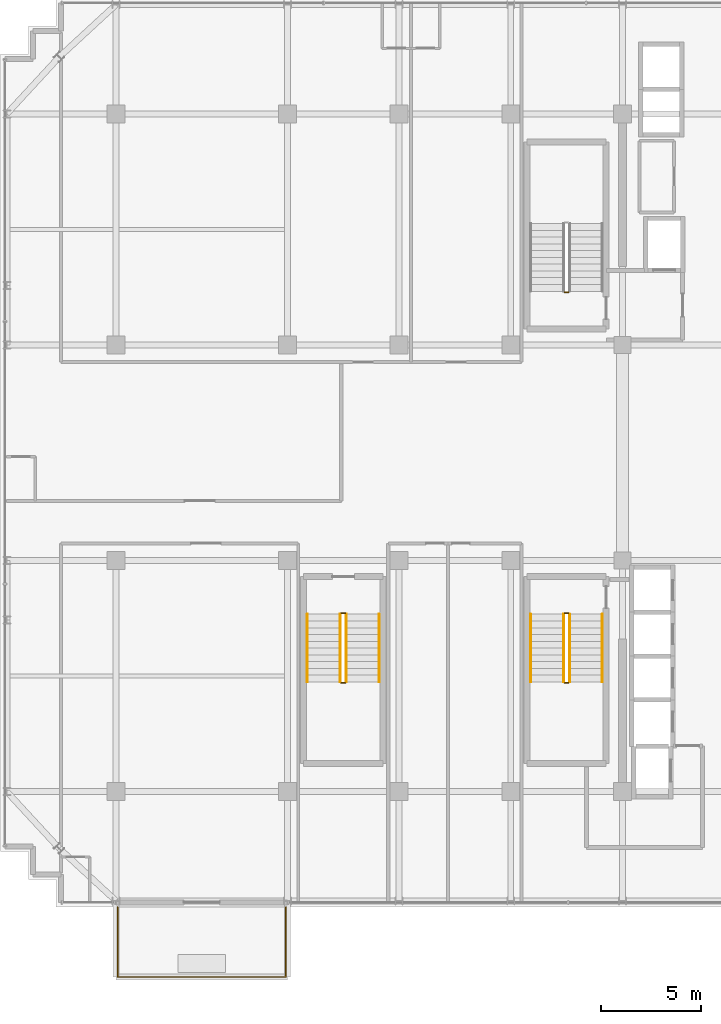
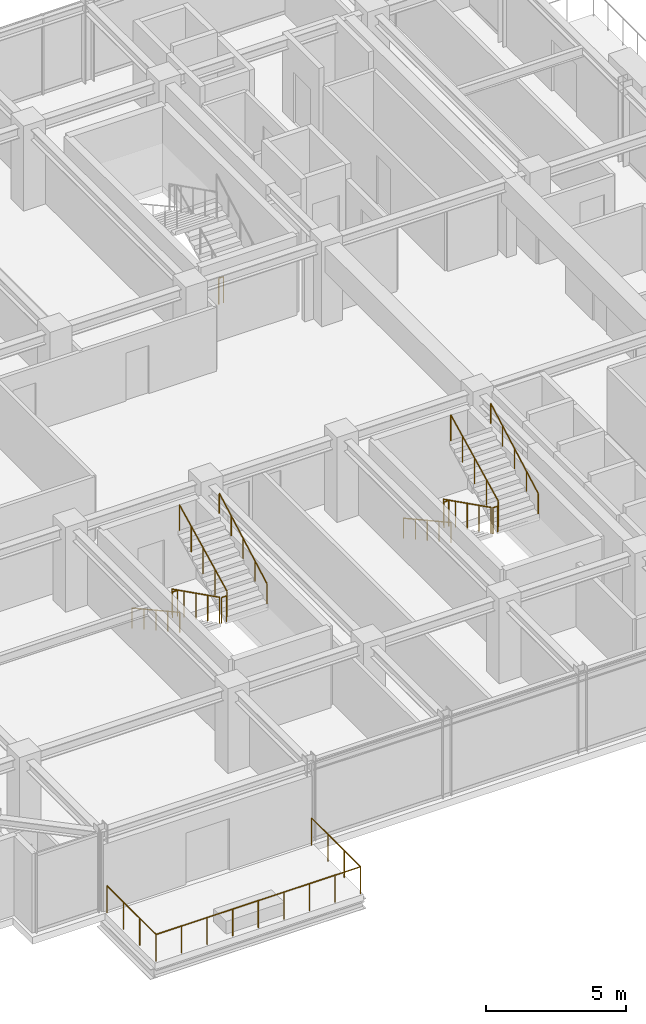
# One storey, part 30 of 32: 14 railings.
"""IFC4 building model written with IfcOpenShell, lengths in metres."""

from ifc_helpers import new_model, si_unit, direction, frame, origin, origin_2d, place, context, subcontext, project, spatial, circle, extrude, material, type_object, element, save


model = new_model("IFC4")

# Units and contexts
model_context = context("Model", 3, precision=1e-05, world=origin(), true_north=direction((0.0, 1.0)))
body_context = subcontext(model_context, "Body", "Model", "MODEL_VIEW")
ifc_project = project(units=[si_unit("LENGTHUNIT", "METRE"), si_unit("AREAUNIT", "SQUARE_METRE"), si_unit("VOLUMEUNIT", "CUBIC_METRE"), si_unit("PLANEANGLEUNIT", "RADIAN"), si_unit("MASSUNIT", "GRAM", prefix="KILO")], contexts=[model_context])

# Site, building, storey
site_placement = place(None, origin())
site = spatial("IfcSite", under=ifc_project, at=site_placement, CompositionType="ELEMENT")
building_placement = place(site_placement, origin())
building = spatial("IfcBuilding", under=site, at=building_placement, Name="Nahalor Promenade Grand Hotel", CompositionType="ELEMENT")
storey_placement = place(building_placement, frame((0.0, 0.0, 285.050048828125)))
storey = spatial("IfcBuildingStorey", under=building, at=storey_placement, Name="L73", CompositionType="ELEMENT", Elevation=285.050048828125)

# Railings
ifc_material_1 = material(Name="Anodised Bronze Aluminium EN AW-6063 T6", Category="aluminium")
railing_type_1 = type_object("IfcRailingType", Name="Bronze Balcony Guardrail 1200 mm", PredefinedType="GUARDRAIL", material=ifc_material_1)
railing_1_placement = place(storey_placement, frame((-16.919921875, -22.800048828125, 0.0)))
element("IfcRailing", 1, at=railing_1_placement, inside=storey, type_object=railing_type_1, Name="L73 Balcony Guardrail 1", PredefinedType="GUARDRAIL", context=body_context, shape_type="SweptSolid", body=[
    extrude(circle(Radius=0.024048, at=origin_2d()), frame((0.0, 0.0, 1.17578125), z_axis=(0.0, -1.0, 0.0), x_axis=(1.0, 0.0, 0.0)), (0.0, 0.0, 1.0), 3.498046875),
    extrude(circle(Radius=0.024048, at=origin_2d()), frame((0.001953125, -3.5, 1.17578125), z_axis=(1.0, 0.0, 0.0), x_axis=(0.0, 1.0, 0.0)), (0.0, 0.0, 1.0), 8.43603515625),
    extrude(circle(Radius=0.024048, at=origin_2d()), frame((8.43994140625, -3.498046875, 1.17578125), z_axis=(0.0, 1.0, 0.0), x_axis=(-1.0, 0.0, 0.0)), (0.0, 0.0, 1.0), 3.498046875),
    extrude(circle(Radius=0.020996, at=origin_2d()), origin(), (0.0, 0.0, 1.0), 1.14990234375),
    extrude(circle(Radius=0.020996, at=origin_2d()), frame((0.0, -1.166748046875, 0.0)), (0.0, 0.0, 1.0), 1.14990234375),
    extrude(circle(Radius=0.020996, at=origin_2d()), frame((0.0, -2.333251953125, 0.0)), (0.0, 0.0, 1.0), 1.14990234375),
    extrude(circle(Radius=0.020996, at=origin_2d()), frame((0.0, -3.5, 0.0)), (0.0, 0.0, 1.0), 1.14990234375),
    extrude(circle(Radius=0.020996, at=origin_2d()), frame((1.054931640625, -3.5, 0.0)), (0.0, 0.0, 1.0), 1.14990234375),
    extrude(circle(Radius=0.020996, at=origin_2d()), frame((2.10986328125, -3.5, 0.0)), (0.0, 0.0, 1.0), 1.14990234375),
    extrude(circle(Radius=0.020996, at=origin_2d()), frame((3.1650390625, -3.5, 0.0)), (0.0, 0.0, 1.0), 1.14990234375),
    extrude(circle(Radius=0.020996, at=origin_2d()), frame((4.219970703125, -3.5, 0.0)), (0.0, 0.0, 1.0), 1.14990234375),
    extrude(circle(Radius=0.020996, at=origin_2d()), frame((5.27490234375, -3.5, 0.0)), (0.0, 0.0, 1.0), 1.14990234375),
    extrude(circle(Radius=0.020996, at=origin_2d()), frame((6.330078125, -3.5, 0.0)), (0.0, 0.0, 1.0), 1.14990234375),
    extrude(circle(Radius=0.020996, at=origin_2d()), frame((7.385009765625, -3.5, 0.0)), (0.0, 0.0, 1.0), 1.14990234375),
    extrude(circle(Radius=0.020996, at=origin_2d()), frame((8.43994140625, -3.5, 0.0)), (0.0, 0.0, 1.0), 1.14990234375),
    extrude(circle(Radius=0.020996, at=origin_2d()), frame((8.43994140625, -2.333251953125, 0.0)), (0.0, 0.0, 1.0), 1.14990234375),
    extrude(circle(Radius=0.020996, at=origin_2d()), frame((8.43994140625, -1.166748046875, 0.0)), (0.0, 0.0, 1.0), 1.14990234375),
    extrude(circle(Radius=0.020996, at=origin_2d()), frame((8.43994140625, 0.0, 0.0)), (0.0, 0.0, 1.0), 1.14990234375),
])
ifc_material_2 = material(Name="Steel S355JR", Category="steel")
railing_type_2 = type_object("IfcRailingType", Name="Steel Stair Guardrail 1150 mm", PredefinedType="GUARDRAIL", material=ifc_material_2)
railing_2_placement = place(storey_placement, frame((5.699951171875, 8.050048828125, 0.0)))
element("IfcRailing", 2, at=railing_2_placement, inside=storey, type_object=railing_type_2, Name="L73 ST1 stair guard 4", PredefinedType="GUARDRAIL", context=body_context, shape_type="SweptSolid", body=[
    extrude(circle(Radius=0.024048, at=origin_2d()), frame((0.0, 0.0, 1.1259765625), z_axis=(-1.0, 0.0, 0.0), x_axis=(0.0, -1.0, 0.0)), (0.0, 0.0, 1.0), 0.199951171875),
    extrude(circle(Radius=0.020996, at=origin_2d()), origin(), (0.0, 0.0, 1.0), 1.099853515625),
    extrude(circle(Radius=0.020996, at=origin_2d()), frame((-0.199951171875, 0.0, 0.0)), (0.0, 0.0, 1.0), 1.099853515625),
])
railing_3_placement = place(storey_placement, frame((5.449951171875, -8.10009765625, 0.17041015625)))
element("IfcRailing", 3, at=railing_3_placement, inside=storey, type_object=railing_type_2, Name="L73 ST2 stair guard 1", PredefinedType="GUARDRAIL", context=body_context, shape_type="SweptSolid", body=[
    extrude(circle(Radius=0.024048, at=origin_2d()), frame((0.0, 0.0, 1.1259765625), z_axis=(0.0, -0.89393879905, 0.448189048899), x_axis=(1.0, 0.0, 0.0)), (0.0, 0.0, 1.0), 3.80322265625),
    extrude(circle(Radius=0.020996, at=origin_2d()), origin(), (0.0, 0.0, 1.0), 1.099853515625),
    extrude(circle(Radius=0.020996, at=origin_2d()), frame((0.0, -0.85009765625, 0.42626953125)), (0.0, 0.0, 1.0), 1.099853515625),
    extrude(circle(Radius=0.020996, at=origin_2d()), frame((0.0, -1.699951171875, 0.852294921875)), (0.0, 0.0, 1.0), 1.099853515625),
    extrude(circle(Radius=0.020996, at=origin_2d()), frame((0.0, -2.5498046875, 1.2783203125)), (0.0, 0.0, 1.0), 1.099853515625),
    extrude(circle(Radius=0.020996, at=origin_2d()), frame((0.0, -3.39990234375, 1.70458984375)), (0.0, 0.0, 1.0), 1.099853515625),
])
railing_4_placement = place(storey_placement, frame((5.5, -11.550048828125, 1.875)))
element("IfcRailing", 4, at=railing_4_placement, inside=storey, type_object=railing_type_2, Name="L73 ST2 stair guard 2", PredefinedType="GUARDRAIL", context=body_context, shape_type="SweptSolid", body=[
    extrude(circle(Radius=0.024048, at=origin_2d()), frame((0.0, 0.0, 1.1259765625), z_axis=(1.0, 0.0, 0.0), x_axis=(0.0, 1.0, 0.0)), (0.0, 0.0, 1.0), 0.199951171875),
    extrude(circle(Radius=0.020996, at=origin_2d()), origin(), (0.0, 0.0, 1.0), 1.099853515625),
    extrude(circle(Radius=0.020996, at=origin_2d()), frame((0.199951171875, 0.0, 0.0)), (0.0, 0.0, 1.0), 1.099853515625),
])
railing_5_placement = place(storey_placement, frame((5.75, -11.5, 2.04541015625)))
element("IfcRailing", 5, at=railing_5_placement, inside=storey, type_object=railing_type_2, Name="L73 ST2 stair guard 3", PredefinedType="GUARDRAIL", context=body_context, shape_type="SweptSolid", body=[
    extrude(circle(Radius=0.024048, at=origin_2d()), frame((0.0, 0.0, 1.1259765625), z_axis=(0.0, 0.89393879905, 0.448189048899), x_axis=(-1.0, 0.0, 0.0)), (0.0, 0.0, 1.0), 3.80322265625),
    extrude(circle(Radius=0.020996, at=origin_2d()), origin(), (0.0, 0.0, 1.0), 1.099853515625),
    extrude(circle(Radius=0.020996, at=origin_2d()), frame((0.0, 0.85009765625, 0.42626953125)), (0.0, 0.0, 1.0), 1.099853515625),
    extrude(circle(Radius=0.020996, at=origin_2d()), frame((0.0, 1.699951171875, 0.852294921875)), (0.0, 0.0, 1.0), 1.099853515625),
    extrude(circle(Radius=0.020996, at=origin_2d()), frame((0.0, 2.5498046875, 1.2783203125)), (0.0, 0.0, 1.0), 1.099853515625),
    extrude(circle(Radius=0.020996, at=origin_2d()), frame((0.0, 3.39990234375, 1.70458984375)), (0.0, 0.0, 1.0), 1.099853515625),
])
railing_6_placement = place(storey_placement, frame((5.5, -8.050048828125, 0.0)))
element("IfcRailing", 6, at=railing_6_placement, inside=storey, type_object=railing_type_2, Name="L73 ST2 stair guard 4", PredefinedType="GUARDRAIL", context=body_context, shape_type="SweptSolid", body=[
    extrude(circle(Radius=0.024048, at=origin_2d()), frame((0.0, 0.0, 1.1259765625), z_axis=(1.0, 0.0, 0.0), x_axis=(0.0, 1.0, 0.0)), (0.0, 0.0, 1.0), 0.199951171875),
    extrude(circle(Radius=0.020996, at=origin_2d()), origin(), (0.0, 0.0, 1.0), 1.099853515625),
    extrude(circle(Radius=0.020996, at=origin_2d()), frame((0.199951171875, 0.0, 0.0)), (0.0, 0.0, 1.0), 1.099853515625),
])
railing_7_placement = place(storey_placement, frame((-5.75, -8.10009765625, 0.17041015625)))
element("IfcRailing", 7, at=railing_7_placement, inside=storey, type_object=railing_type_2, Name="L73 ST3 stair guard 1", PredefinedType="GUARDRAIL", context=body_context, shape_type="SweptSolid", body=[
    extrude(circle(Radius=0.024048, at=origin_2d()), frame((0.0, 0.0, 1.1259765625), z_axis=(0.0, -0.89393879905, 0.448189048899), x_axis=(1.0, 0.0, 0.0)), (0.0, 0.0, 1.0), 3.80322265625),
    extrude(circle(Radius=0.020996, at=origin_2d()), origin(), (0.0, 0.0, 1.0), 1.099853515625),
    extrude(circle(Radius=0.020996, at=origin_2d()), frame((0.0, -0.85009765625, 0.42626953125)), (0.0, 0.0, 1.0), 1.099853515625),
    extrude(circle(Radius=0.020996, at=origin_2d()), frame((0.0, -1.699951171875, 0.852294921875)), (0.0, 0.0, 1.0), 1.099853515625),
    extrude(circle(Radius=0.020996, at=origin_2d()), frame((0.0, -2.5498046875, 1.2783203125)), (0.0, 0.0, 1.0), 1.099853515625),
    extrude(circle(Radius=0.020996, at=origin_2d()), frame((0.0, -3.39990234375, 1.70458984375)), (0.0, 0.0, 1.0), 1.099853515625),
])
railing_8_placement = place(storey_placement, frame((-5.699951171875, -11.550048828125, 1.875)))
element("IfcRailing", 8, at=railing_8_placement, inside=storey, type_object=railing_type_2, Name="L73 ST3 stair guard 2", PredefinedType="GUARDRAIL", context=body_context, shape_type="SweptSolid", body=[
    extrude(circle(Radius=0.024048, at=origin_2d()), frame((0.0, 0.0, 1.1259765625), z_axis=(1.0, 0.0, 0.0), x_axis=(0.0, 1.0, 0.0)), (0.0, 0.0, 1.0), 0.199951171875),
    extrude(circle(Radius=0.020996, at=origin_2d()), origin(), (0.0, 0.0, 1.0), 1.099853515625),
    extrude(circle(Radius=0.020996, at=origin_2d()), frame((0.199951171875, 0.0, 0.0)), (0.0, 0.0, 1.0), 1.099853515625),
])
railing_9_placement = place(storey_placement, frame((-5.449951171875, -11.5, 2.04541015625)))
element("IfcRailing", 9, at=railing_9_placement, inside=storey, type_object=railing_type_2, Name="L73 ST3 stair guard 3", PredefinedType="GUARDRAIL", context=body_context, shape_type="SweptSolid", body=[
    extrude(circle(Radius=0.024048, at=origin_2d()), frame((0.0, 0.0, 1.1259765625), z_axis=(0.0, 0.89393879905, 0.448189048899), x_axis=(-1.0, 0.0, 0.0)), (0.0, 0.0, 1.0), 3.80322265625),
    extrude(circle(Radius=0.020996, at=origin_2d()), origin(), (0.0, 0.0, 1.0), 1.099853515625),
    extrude(circle(Radius=0.020996, at=origin_2d()), frame((0.0, 0.85009765625, 0.42626953125)), (0.0, 0.0, 1.0), 1.099853515625),
    extrude(circle(Radius=0.020996, at=origin_2d()), frame((0.0, 1.699951171875, 0.852294921875)), (0.0, 0.0, 1.0), 1.099853515625),
    extrude(circle(Radius=0.020996, at=origin_2d()), frame((0.0, 2.5498046875, 1.2783203125)), (0.0, 0.0, 1.0), 1.099853515625),
    extrude(circle(Radius=0.020996, at=origin_2d()), frame((0.0, 3.39990234375, 1.70458984375)), (0.0, 0.0, 1.0), 1.099853515625),
])
railing_10_placement = place(storey_placement, frame((-5.699951171875, -8.050048828125, 0.0)))
element("IfcRailing", 10, at=railing_10_placement, inside=storey, type_object=railing_type_2, Name="L73 ST3 stair guard 4", PredefinedType="GUARDRAIL", context=body_context, shape_type="SweptSolid", body=[
    extrude(circle(Radius=0.024048, at=origin_2d()), frame((0.0, 0.0, 1.1259765625), z_axis=(1.0, 0.0, 0.0), x_axis=(0.0, 1.0, 0.0)), (0.0, 0.0, 1.0), 0.199951171875),
    extrude(circle(Radius=0.020996, at=origin_2d()), origin(), (0.0, 0.0, 1.0), 1.099853515625),
    extrude(circle(Radius=0.020996, at=origin_2d()), frame((0.199951171875, 0.0, 0.0)), (0.0, 0.0, 1.0), 1.099853515625),
])
railing_type_3 = type_object("IfcRailingType", Name="Steel Stair Handrail 900 mm", PredefinedType="HANDRAIL", material=ifc_material_2)
railing_11_placement = place(storey_placement, frame((3.800048828125, -8.10009765625, 0.17041015625)))
element("IfcRailing", 11, at=railing_11_placement, inside=storey, type_object=railing_type_3, Name="L73 ST2 stair handrail 1", PredefinedType="HANDRAIL", context=body_context, shape_type="SweptSolid", body=[
    extrude(circle(Radius=0.024048, at=origin_2d()), frame((0.0, 0.0, 0.8759765625), z_axis=(0.0, -0.875665712831, 0.482917756322), x_axis=(1.0, 0.0, 0.0)), (0.0, 0.0, 1.0), 3.882568359375),
    extrude(circle(Radius=0.020996, at=origin_2d()), origin(), (0.0, 0.0, 1.0), 0.849853515625),
    extrude(circle(Radius=0.020996, at=origin_2d()), frame((0.0, -0.85009765625, 0.46875)), (0.0, 0.0, 1.0), 0.849853515625),
    extrude(circle(Radius=0.020996, at=origin_2d()), frame((0.0, -1.699951171875, 0.9375)), (0.0, 0.0, 1.0), 0.849853515625),
    extrude(circle(Radius=0.020996, at=origin_2d()), frame((0.0, -2.5498046875, 1.40625)), (0.0, 0.0, 1.0), 0.849853515625),
    extrude(circle(Radius=0.020996, at=origin_2d()), frame((0.0, -3.39990234375, 1.875)), (0.0, 0.0, 1.0), 0.849853515625),
])
railing_12_placement = place(storey_placement, frame((7.39990234375, -11.5, 2.04541015625)))
element("IfcRailing", 12, at=railing_12_placement, inside=storey, type_object=railing_type_3, Name="L73 ST2 stair handrail 2", PredefinedType="HANDRAIL", context=body_context, shape_type="SweptSolid", body=[
    extrude(circle(Radius=0.024048, at=origin_2d()), frame((0.0, 0.0, 0.8759765625), z_axis=(0.0, 0.875665712831, 0.482917756322), x_axis=(-1.0, 0.0, 0.0)), (0.0, 0.0, 1.0), 3.882568359375),
    extrude(circle(Radius=0.020996, at=origin_2d()), origin(), (0.0, 0.0, 1.0), 0.849853515625),
    extrude(circle(Radius=0.020996, at=origin_2d()), frame((0.0, 0.85009765625, 0.46875)), (0.0, 0.0, 1.0), 0.849853515625),
    extrude(circle(Radius=0.020996, at=origin_2d()), frame((0.0, 1.699951171875, 0.9375)), (0.0, 0.0, 1.0), 0.849853515625),
    extrude(circle(Radius=0.020996, at=origin_2d()), frame((0.0, 2.5498046875, 1.40625)), (0.0, 0.0, 1.0), 0.849853515625),
    extrude(circle(Radius=0.020996, at=origin_2d()), frame((0.0, 3.39990234375, 1.875)), (0.0, 0.0, 1.0), 0.849853515625),
])
railing_13_placement = place(storey_placement, frame((-7.39990234375, -8.10009765625, 0.17041015625)))
element("IfcRailing", 13, at=railing_13_placement, inside=storey, type_object=railing_type_3, Name="L73 ST3 stair handrail 1", PredefinedType="HANDRAIL", context=body_context, shape_type="SweptSolid", body=[
    extrude(circle(Radius=0.024048, at=origin_2d()), frame((0.0, 0.0, 0.8759765625), z_axis=(0.0, -0.875665712831, 0.482917756322), x_axis=(1.0, 0.0, 0.0)), (0.0, 0.0, 1.0), 3.882568359375),
    extrude(circle(Radius=0.020996, at=origin_2d()), origin(), (0.0, 0.0, 1.0), 0.849853515625),
    extrude(circle(Radius=0.020996, at=origin_2d()), frame((0.0, -0.85009765625, 0.46875)), (0.0, 0.0, 1.0), 0.849853515625),
    extrude(circle(Radius=0.020996, at=origin_2d()), frame((0.0, -1.699951171875, 0.9375)), (0.0, 0.0, 1.0), 0.849853515625),
    extrude(circle(Radius=0.020996, at=origin_2d()), frame((0.0, -2.5498046875, 1.40625)), (0.0, 0.0, 1.0), 0.849853515625),
    extrude(circle(Radius=0.020996, at=origin_2d()), frame((0.0, -3.39990234375, 1.875)), (0.0, 0.0, 1.0), 0.849853515625),
])
railing_14_placement = place(storey_placement, frame((-3.800048828125, -11.5, 2.04541015625)))
element("IfcRailing", 14, at=railing_14_placement, inside=storey, type_object=railing_type_3, Name="L73 ST3 stair handrail 2", PredefinedType="HANDRAIL", context=body_context, shape_type="SweptSolid", body=[
    extrude(circle(Radius=0.024048, at=origin_2d()), frame((0.0, 0.0, 0.8759765625), z_axis=(0.0, 0.875665712831, 0.482917756322), x_axis=(-1.0, 0.0, 0.0)), (0.0, 0.0, 1.0), 3.882568359375),
    extrude(circle(Radius=0.020996, at=origin_2d()), origin(), (0.0, 0.0, 1.0), 0.849853515625),
    extrude(circle(Radius=0.020996, at=origin_2d()), frame((0.0, 0.85009765625, 0.46875)), (0.0, 0.0, 1.0), 0.849853515625),
    extrude(circle(Radius=0.020996, at=origin_2d()), frame((0.0, 1.699951171875, 0.9375)), (0.0, 0.0, 1.0), 0.849853515625),
    extrude(circle(Radius=0.020996, at=origin_2d()), frame((0.0, 2.5498046875, 1.40625)), (0.0, 0.0, 1.0), 0.849853515625),
    extrude(circle(Radius=0.020996, at=origin_2d()), frame((0.0, 3.39990234375, 1.875)), (0.0, 0.0, 1.0), 0.849853515625),
])

save(model, "model.ifc")
